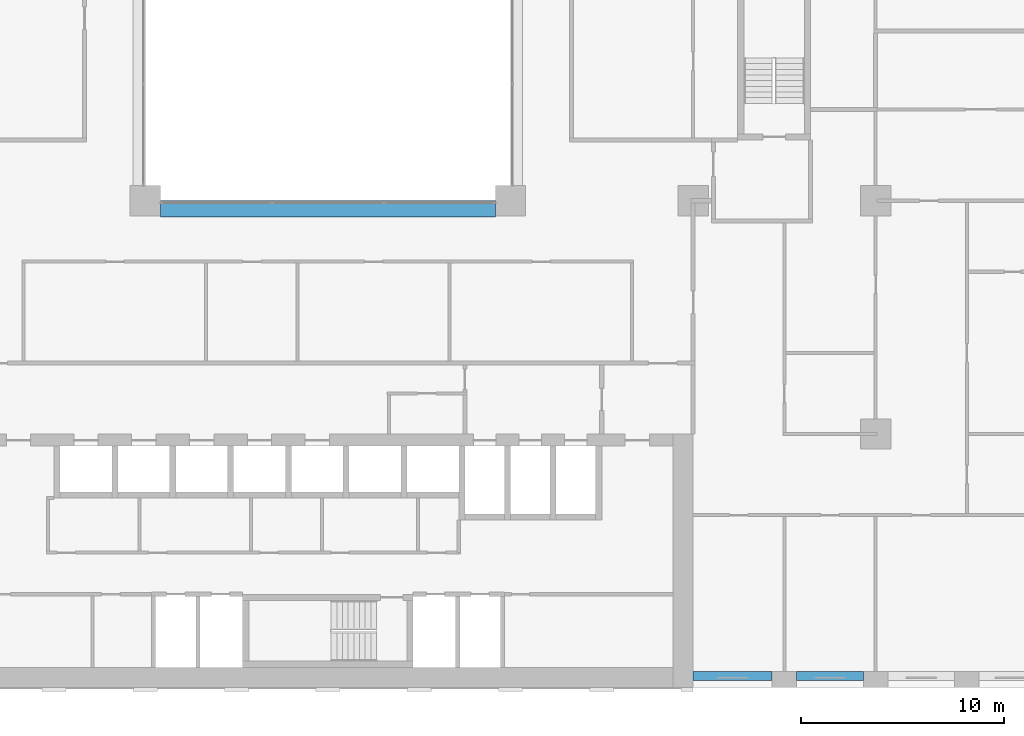
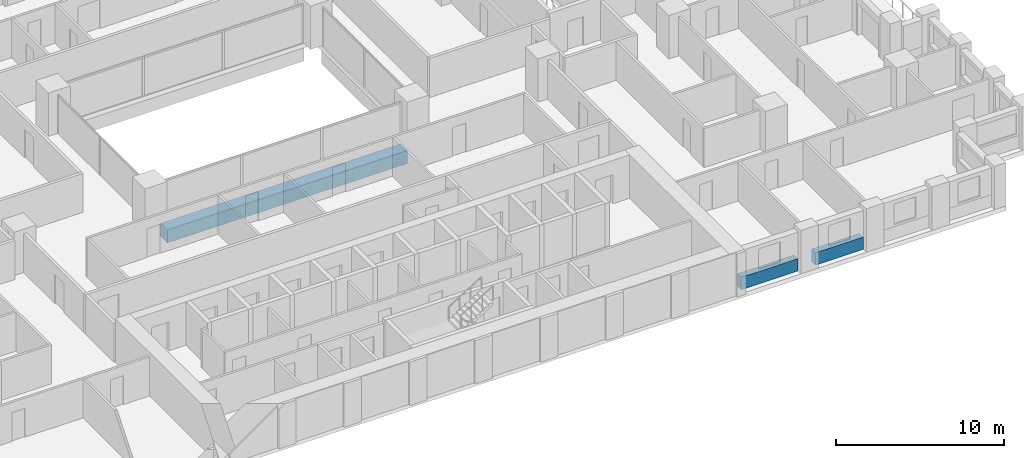
# One storey, part 3 of 20: 3 beams.
"""IFC4 building model written with IfcOpenShell, lengths in metres."""

from ifc_helpers import new_model, si_unit, direction, frame, origin, origin_2d, place, context, subcontext, project, spatial, rectangle, extrude, material, material_profile, profile_set, type_object, element, save


model = new_model("IFC4")

# Units and contexts
model_context = context("Model", 3, precision=1e-05, world=origin(), true_north=direction((0.0, 1.0)))
body_context = subcontext(model_context, "Body", "Model", "MODEL_VIEW")
ifc_project = project(units=[si_unit("LENGTHUNIT", "METRE"), si_unit("AREAUNIT", "SQUARE_METRE"), si_unit("VOLUMEUNIT", "CUBIC_METRE"), si_unit("PLANEANGLEUNIT", "RADIAN"), si_unit("MASSUNIT", "GRAM", prefix="KILO")], contexts=[model_context])

# Site, building, storey
site_placement = place(None, origin())
site = spatial("IfcSite", under=ifc_project, at=site_placement, CompositionType="ELEMENT")
building_placement = place(site_placement, origin())
building = spatial("IfcBuilding", under=site, at=building_placement, Name="Brigalow Station Residences", CompositionType="ELEMENT")
storey_placement = place(building_placement, frame((0.0, 0.0, 66.75)))
storey = spatial("IfcBuildingStorey", under=building, at=storey_placement, Name="L19", CompositionType="ELEMENT", Elevation=66.75)

# Beams
ifc_material_1 = material(Name="Concrete C65", Category="concrete")
ifc_material_profile_1 = material_profile(ifc_material_1, rectangle(XDim=0.800048828125, YDim=0.949951171875, at=origin_2d()), Name="RC800x950")
ifc_profile_set_1 = profile_set([ifc_material_profile_1], Name="Concrete C65")
beam_type_1 = type_object("IfcBeamType", Name="ATRIUM EDGE GIRDER OVER 13.5 M SPAN 800x950 C65", PredefinedType="BEAM", material=ifc_profile_set_1)
beam_1_placement = place(storey_placement, frame((27.75, 23.60009765625, -0.794921875), z_axis=(1.0, 0.0, 0.0), x_axis=(0.0, 1.0, 0.0)))
element("IfcBeam", 1, at=beam_1_placement, inside=storey, type_object=beam_type_1, Name="ATRIUM EDGE GIRDER C L19", PredefinedType="BEAM", context=body_context, shape_type="SweptSolid", body=[
    extrude(rectangle(XDim=0.800048828125, YDim=0.949951171875, at=origin_2d()), origin(), (0.0, 0.0, 1.0), 16.5),
])
ifc_material_2 = material(Name="Concrete C65", Category="concrete")
ifc_material_profile_2 = material_profile(ifc_material_2, rectangle(XDim=0.449951171875, YDim=0.89990234375, at=origin_2d()), Name="RC450x900")
ifc_profile_set_2 = profile_set([ifc_material_profile_2], Name="Concrete C65")
beam_type_2 = type_object("IfcBeamType", Name="SPANDREL BEAM 450x900 C65", PredefinedType="SPANDREL", material=ifc_profile_set_2)
beam_2_placement = place(storey_placement, frame((54.0, 0.574951171875, 0.449951171875), z_axis=(1.0, 0.0, 0.0), x_axis=(0.0, 1.0, 0.0)))
element("IfcBeam", 2, at=beam_2_placement, inside=storey, type_object=beam_type_2, Name="L19/spandrel/W-L19-5", PredefinedType="SPANDREL", context=body_context, shape_type="SweptSolid", body=[
    extrude(rectangle(XDim=0.449951171875, YDim=0.89990234375, at=origin_2d()), origin(), (0.0, 0.0, 1.0), 3.89990234375),
])
beam_3_placement = place(storey_placement, frame((59.10009765625, 0.574951171875, 0.449951171875), z_axis=(1.0, 0.0, 0.0), x_axis=(0.0, 1.0, 0.0)))
element("IfcBeam", 3, at=beam_3_placement, inside=storey, type_object=beam_type_2, Name="L19/spandrel/W-L19-6", PredefinedType="SPANDREL", context=body_context, shape_type="SweptSolid", body=[
    extrude(rectangle(XDim=0.449951171875, YDim=0.89990234375, at=origin_2d()), origin(), (0.0, 0.0, 1.0), 3.2998046875),
])

save(model, "model.ifc")
